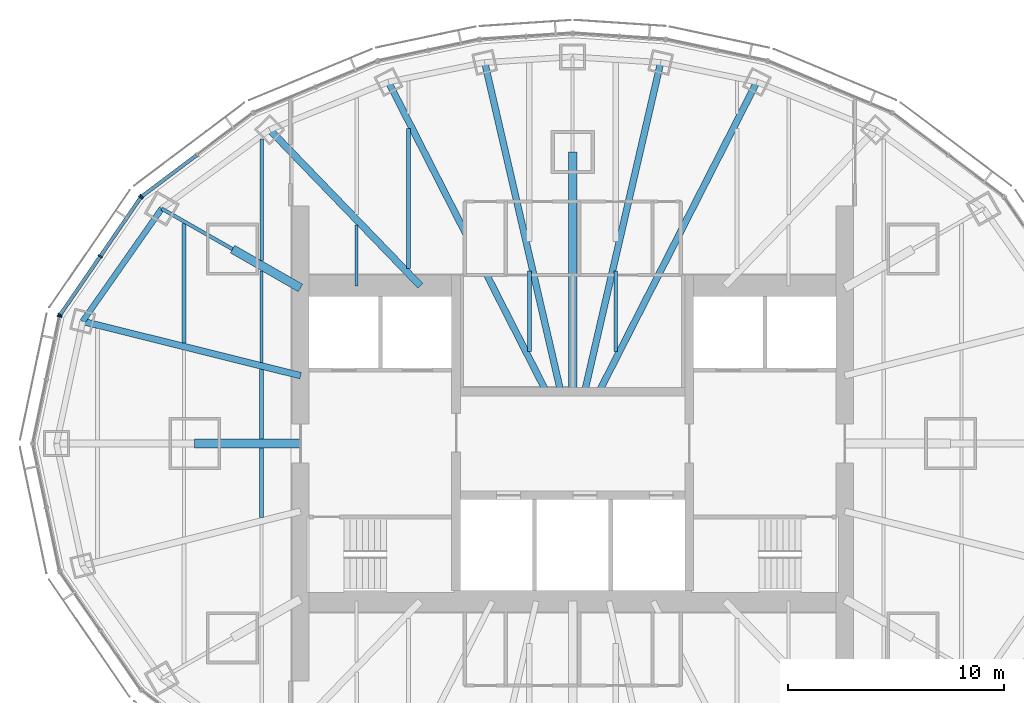
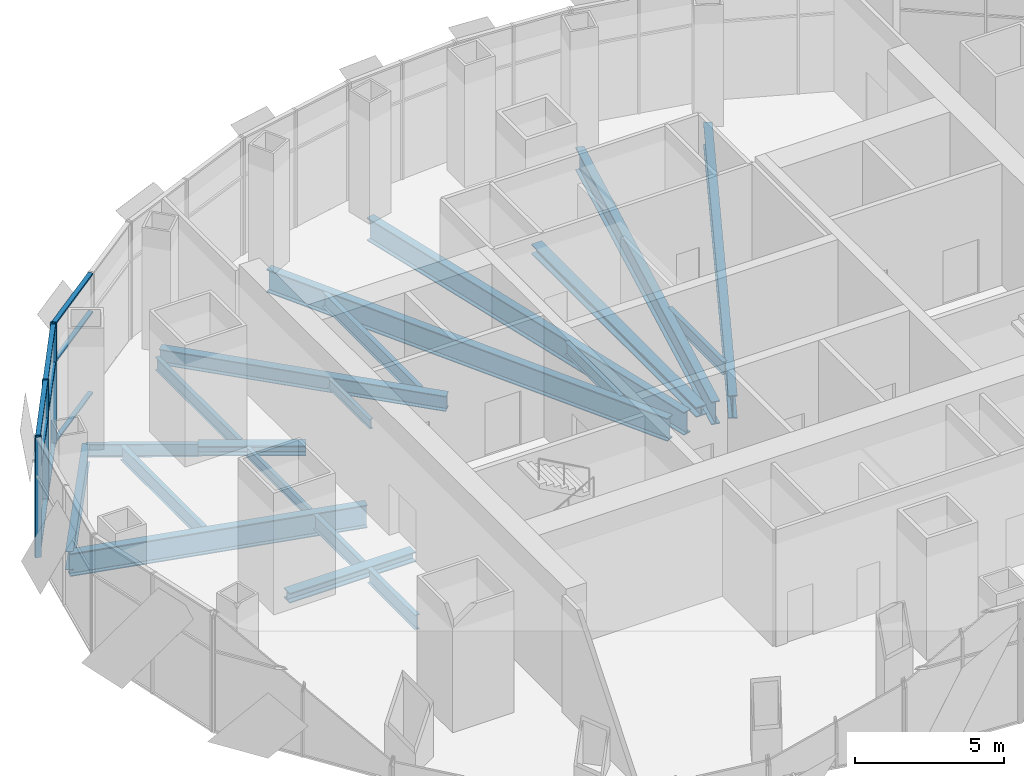
# One storey, part 4 of 17: 20 beams, 14 members, 3 elements without a shape of their own.
"""IFC4 building model written with IfcOpenShell, lengths in metres."""

from ifc_helpers import new_model, si_unit, direction, frame, origin, origin_2d, place, context, subcontext, project, spatial, rectangle, i_section, extrude, material, material_profile, profile_set, type_object, element, aggregate, save


model = new_model("IFC4")

# Units and contexts
model_context = context("Model", 3, precision=1e-05, world=origin(), true_north=direction((0.0, 1.0)))
body_context = subcontext(model_context, "Body", "Model", "MODEL_VIEW")
ifc_project = project(units=[si_unit("LENGTHUNIT", "METRE"), si_unit("AREAUNIT", "SQUARE_METRE"), si_unit("VOLUMEUNIT", "CUBIC_METRE"), si_unit("PLANEANGLEUNIT", "RADIAN"), si_unit("MASSUNIT", "GRAM", prefix="KILO")], contexts=[model_context])

# Site, building, storey
site_placement = place(None, origin())
site = spatial("IfcSite", under=ifc_project, at=site_placement, CompositionType="ELEMENT")
building_placement = place(site_placement, origin())
building = spatial("IfcBuilding", under=site, at=building_placement, Name="Lantaw Convention Tower", CompositionType="ELEMENT")
storey_placement = place(building_placement, frame((0.0, 0.0, 279.39990234375)))
storey = spatial("IfcBuildingStorey", under=building, at=storey_placement, Name="L65", CompositionType="ELEMENT", Elevation=279.39990234375)

# Beams
ifc_material_1 = material(Name="Steel ASTM A992", Category="steel")
ifc_material_profile_1 = material_profile(ifc_material_1, i_section(OverallWidth=0.2666015625, OverallDepth=0.76953125, WebThickness=0.015625, FlangeThickness=0.025390625, FilletRadius=0.0126953125, at=origin_2d()), Name="W30X132")
ifc_profile_set_1 = profile_set([ifc_material_profile_1], Name="Steel ASTM A992")
beam_type_1 = type_object("IfcBeamType", Name="Beam E W30X132", PredefinedType="SPANDREL", material=ifc_profile_set_1)
beam_1_placement = place(storey_placement, frame((-19.02685546875, 10.87255859375, -0.53466796875), z_axis=(-0.574400527612, -0.81857439117, 0.0), x_axis=(0.81857439117, -0.574400527612, 0.0)))
element("IfcBeam", 1, at=beam_1_placement, inside=storey, type_object=beam_type_1, Name="Edge beam 11", PredefinedType="SPANDREL", context=body_context, shape_type="SweptSolid", body=[
    extrude(i_section(OverallWidth=0.2666015625, OverallDepth=0.76953125, WebThickness=0.015625, FlangeThickness=0.025390625, FilletRadius=0.0126953125, at=origin_2d()), origin(), (0.0, 0.0, 1.0), 6.3720703125),
])
ifc_material_profile_2 = material_profile(ifc_material_1, i_section(OverallWidth=0.1650390625, OverallDepth=0.52587890625, WebThickness=0.0087890625, FlangeThickness=0.011474609375, FilletRadius=0.0126953125, at=origin_2d()), Name="W21X44")
ifc_profile_set_2 = profile_set([ifc_material_profile_2], Name="Steel ASTM A992")
beam_type_2 = type_object("IfcBeamType", Name="Beam G W21X44", PredefinedType="BEAM", material=ifc_profile_set_2)
beam_2_placement = place(storey_placement, frame((-15.75, 9.0, -0.412841796875), z_axis=(-0.868235180478, 0.496152870978, 0.0), x_axis=(-0.496152870978, -0.868235180478, 0.0)))
element("IfcBeam", 2, at=beam_2_placement, inside=storey, type_object=beam_type_2, Name="Floor girder on ray 11", PredefinedType="BEAM", context=body_context, shape_type="SweptSolid", body=[
    extrude(i_section(OverallWidth=0.1650390625, OverallDepth=0.52587890625, WebThickness=0.0087890625, FlangeThickness=0.011474609375, FilletRadius=0.0126953125, at=origin_2d()), origin(), (0.0, 0.0, 1.0), 3.774169921875),
])
ifc_material_profile_3 = material_profile(ifc_material_1, i_section(OverallWidth=0.32763671875, OverallDepth=0.62744140625, WebThickness=0.0166015625, FlangeThickness=0.027587890625, FilletRadius=0.0126953125, at=origin_2d()), Name="W24X146")
ifc_profile_set_3 = profile_set([ifc_material_profile_3], Name="Steel ASTM A992")
beam_type_3 = type_object("IfcBeamType", Name="Beam G W24X146", PredefinedType="BEAM", material=ifc_profile_set_3)
beam_3_placement = place(storey_placement, frame((-7.049560546875, 7.300048828125, -0.463623046875), z_axis=(-0.694652631285, 0.71934534255, 0.0), x_axis=(-0.71934534255, -0.694652631285, 0.0)))
element("IfcBeam", 3, at=beam_3_placement, inside=storey, type_object=beam_type_3, Name="Floor girder on ray 10", PredefinedType="BEAM", context=body_context, shape_type="SweptSolid", body=[
    extrude(i_section(OverallWidth=0.32763671875, OverallDepth=0.62744140625, WebThickness=0.0166015625, FlangeThickness=0.027587890625, FilletRadius=0.0126953125, at=origin_2d()), origin(), (0.0, 0.0, 1.0), 10.04541015625),
])
ifc_material_profile_4 = material_profile(ifc_material_1, i_section(OverallWidth=0.307373046875, OverallDepth=0.9423828125, WebThickness=0.022216796875, FlangeThickness=0.039794921875, FilletRadius=0.0126953125, at=origin_2d()), Name="W36X232")
ifc_profile_set_4 = profile_set([ifc_material_profile_4], Name="Steel ASTM A992")
beam_type_4 = type_object("IfcBeamType", Name="Beam G W36X232", PredefinedType="BEAM", material=ifc_profile_set_4)
beam_4_placement = place(storey_placement, frame((1.222900390625, 2.39990234375, -0.62109375), z_axis=(0.453985554173, 0.891009044063, 0.0), x_axis=(-0.891009044063, 0.453985554173, 0.0)))
element("IfcBeam", 4, at=beam_4_placement, inside=storey, type_object=beam_type_4, Name="Floor girder on ray 5", PredefinedType="BEAM", context=body_context, shape_type="SweptSolid", body=[
    extrude(i_section(OverallWidth=0.307373046875, OverallDepth=0.9423828125, WebThickness=0.022216796875, FlangeThickness=0.039794921875, FilletRadius=0.0126953125, at=origin_2d()), origin(), (0.0, 0.0, 1.0), 16.091796875),
])
for number, where, z_axis, x_axis, name in (
    (5, (0.55419921875, 2.39990234375, -0.62109375), (0.22493929298, 0.974372780035, 0.0), (-0.974372780035, 0.22493929298, 0.0), "Floor girder on ray 6"),
    (6, (-0.55419921875, 2.39990234375, -0.62109375), (-0.22493929298, 0.974372780035, 0.0), (-0.974372780035, -0.22493929298, 0.0), "Floor girder on ray 8"),
):
    element("IfcBeam", number, at=place(storey_placement, frame(where, z_axis=z_axis, x_axis=x_axis)), inside=storey, type_object=beam_type_4, Name=name, PredefinedType="BEAM", context=body_context, shape_type="SweptSolid", body=[
        extrude(i_section(OverallWidth=0.307373046875, OverallDepth=0.9423828125, WebThickness=0.022216796875, FlangeThickness=0.039794921875, FilletRadius=0.0126953125, at=origin_2d()), origin(), (0.0, 0.0, 1.0), 15.643310546875),
    ])
beam_5_placement = place(storey_placement, frame((-1.222900390625, 2.39990234375, -0.62109375), z_axis=(-0.453985554173, 0.891009044063, 0.0), x_axis=(-0.891009044063, -0.453985554173, 0.0)))
element("IfcBeam", 7, at=beam_5_placement, inside=storey, type_object=beam_type_4, Name="Floor girder on ray 9", PredefinedType="BEAM", context=body_context, shape_type="SweptSolid", body=[
    extrude(i_section(OverallWidth=0.307373046875, OverallDepth=0.9423828125, WebThickness=0.022216796875, FlangeThickness=0.039794921875, FilletRadius=0.0126953125, at=origin_2d()), origin(), (0.0, 0.0, 1.0), 16.091796875),
])
beam_6_placement = place(storey_placement, frame((-12.60009765625, 3.1416015625, -0.62109375), z_axis=(-0.97029702597, 0.241916682751, 0.0), x_axis=(-0.241916682751, -0.97029702597, 0.0)))
element("IfcBeam", 8, at=beam_6_placement, inside=storey, type_object=beam_type_4, Name="Floor girder on ray 12", PredefinedType="BEAM", context=body_context, shape_type="SweptSolid", body=[
    extrude(i_section(OverallWidth=0.307373046875, OverallDepth=0.9423828125, WebThickness=0.022216796875, FlangeThickness=0.039794921875, FilletRadius=0.0126953125, at=origin_2d()), origin(), (0.0, 0.0, 1.0), 10.395751953125),
])
ifc_material_profile_5 = material_profile(ifc_material_1, i_section(OverallWidth=0.40380859375, OverallDepth=0.406494140625, WebThickness=0.027099609375, FlangeThickness=0.043701171875, FilletRadius=0.01513671875, at=origin_2d()), Name="W14X233")
ifc_profile_set_5 = profile_set([ifc_material_profile_5], Name="Steel ASTM A992")
beam_type_5 = type_object("IfcBeamType", Name="Beam GM W14X233", PredefinedType="BEAM", material=ifc_profile_set_5)
beam_7_placement = place(storey_placement, frame((0.0, 2.39990234375, -0.35302734375), z_axis=(0.0, 1.0, 0.0), x_axis=(-1.0, 0.0, 0.0)))
element("IfcBeam", 9, at=beam_7_placement, inside=storey, type_object=beam_type_5, Name="Core link beam on ray 7", PredefinedType="BEAM", context=body_context, shape_type="SweptSolid", body=[
    extrude(i_section(OverallWidth=0.40380859375, OverallDepth=0.406494140625, WebThickness=0.027099609375, FlangeThickness=0.043701171875, FilletRadius=0.01513671875, at=origin_2d()), origin(), (0.0, 0.0, 1.0), 11.10009765625),
])
beam_8_placement = place(storey_placement, frame((-12.60009765625, 7.199951171875, -0.35302734375), z_axis=(-0.868230718294, 0.496160679428, 0.0), x_axis=(-0.496160679428, -0.868230718294, 0.0)))
element("IfcBeam", 10, at=beam_8_placement, inside=storey, type_object=beam_type_5, Name="Core link beam on ray 11", PredefinedType="BEAM", context=body_context, shape_type="SweptSolid", body=[
    extrude(i_section(OverallWidth=0.40380859375, OverallDepth=0.406494140625, WebThickness=0.027099609375, FlangeThickness=0.043701171875, FilletRadius=0.01513671875, at=origin_2d()), origin(), (0.0, 0.0, 1.0), 3.6279296875),
])
beam_9_placement = place(storey_placement, frame((-12.60009765625, 0.0, -0.35302734375), z_axis=(-1.0, 0.0, 0.0), x_axis=(0.0, -1.0, 0.0)))
element("IfcBeam", 11, at=beam_9_placement, inside=storey, type_object=beam_type_5, Name="Core link beam on ray 13", PredefinedType="BEAM", context=body_context, shape_type="SweptSolid", body=[
    extrude(i_section(OverallWidth=0.40380859375, OverallDepth=0.406494140625, WebThickness=0.027099609375, FlangeThickness=0.043701171875, FilletRadius=0.01513671875, at=origin_2d()), origin(), (0.0, 0.0, 1.0), 4.89990234375),
])
ifc_material_profile_6 = material_profile(ifc_material_1, i_section(OverallWidth=0.140380859375, OverallDepth=0.40380859375, WebThickness=0.007080078125, FlangeThickness=0.01123046875, FilletRadius=0.01025390625, at=origin_2d()), Name="W16X31")
ifc_profile_set_6 = profile_set([ifc_material_profile_6], Name="Steel ASTM A992")
beam_type_6 = type_object("IfcBeamType", Name="Beam J W16X31", PredefinedType="JOIST", material=ifc_profile_set_6)
beam_10_placement = place(storey_placement, frame((-14.39990234375, 3.748779296875, -0.351806640625), z_axis=(0.0, 1.0, 0.0), x_axis=(-1.0, 0.0, 0.0)))
element("IfcBeam", 12, at=beam_10_placement, inside=storey, type_object=beam_type_6, Name="Floor joist", PredefinedType="JOIST", context=body_context, shape_type="SweptSolid", body=[
    extrude(i_section(OverallWidth=0.140380859375, OverallDepth=0.40380859375, WebThickness=0.007080078125, FlangeThickness=0.01123046875, FilletRadius=0.01025390625, at=origin_2d()), origin(), (0.0, 0.0, 1.0), 4.247314453125),
])
beam_11_placement = place(storey_placement, frame((-10.0, 7.300048828125, -0.351806640625), z_axis=(0.0, 1.0, 0.0), x_axis=(-1.0, 0.0, 0.0)))
element("IfcBeam", 13, at=beam_11_placement, inside=storey, type_object=beam_type_6, Name="Floor joist", PredefinedType="JOIST", context=body_context, shape_type="SweptSolid", body=[
    extrude(i_section(OverallWidth=0.140380859375, OverallDepth=0.40380859375, WebThickness=0.007080078125, FlangeThickness=0.01123046875, FilletRadius=0.01025390625, at=origin_2d()), origin(), (0.0, 0.0, 1.0), 2.8193359375),
])
ifc_material_profile_7 = material_profile(ifc_material_1, i_section(OverallWidth=0.1650390625, OverallDepth=0.52587890625, WebThickness=0.0087890625, FlangeThickness=0.011474609375, FilletRadius=0.0126953125, at=origin_2d()), Name="W21X44")
ifc_profile_set_7 = profile_set([ifc_material_profile_7], Name="Steel ASTM A992")
beam_type_7 = type_object("IfcBeamType", Name="Beam J W21X44", PredefinedType="JOIST", material=ifc_profile_set_7)
beam_12_placement = place(storey_placement, frame((-14.39990234375, 8.461181640625, -0.412841796875), z_axis=(0.0, 1.0, 0.0), x_axis=(-1.0, 0.0, 0.0)))
element("IfcBeam", 14, at=beam_12_placement, inside=storey, type_object=beam_type_7, Name="Floor joist", PredefinedType="JOIST", context=body_context, shape_type="SweptSolid", body=[
    extrude(i_section(OverallWidth=0.1650390625, OverallDepth=0.52587890625, WebThickness=0.0087890625, FlangeThickness=0.011474609375, FilletRadius=0.0126953125, at=origin_2d()), origin(), (0.0, 0.0, 1.0), 5.627685546875),
])
for number, where, z_axis, x_axis, name in (
    (15, (-2.0, 4.263671875, -0.412841796875), (0.0, 1.0, 0.0), (-1.0, 0.0, 0.0), "Floor joist"),
    (16, (2.0, 4.263671875, -0.412841796875), (0.0, 1.0, 0.0), (-1.0, 0.0, 0.0), "Floor joist"),
):
    element("IfcBeam", number, at=place(storey_placement, frame(where, z_axis=z_axis, x_axis=x_axis)), inside=storey, type_object=beam_type_7, Name=name, PredefinedType="JOIST", context=body_context, shape_type="SweptSolid", body=[
        extrude(i_section(OverallWidth=0.1650390625, OverallDepth=0.52587890625, WebThickness=0.0087890625, FlangeThickness=0.011474609375, FilletRadius=0.0126953125, at=origin_2d()), origin(), (0.0, 0.0, 1.0), 3.716064453125),
    ])
ifc_material_profile_8 = material_profile(ifc_material_1, i_section(OverallWidth=0.177978515625, OverallDepth=0.599365234375, WebThickness=0.010009765625, FlangeThickness=0.012939453125, FilletRadius=0.012939453125, at=origin_2d()), Name="W24X55")
ifc_profile_set_8 = profile_set([ifc_material_profile_8], Name="Steel ASTM A992")
beam_type_8 = type_object("IfcBeamType", Name="Beam J W24X55", PredefinedType="JOIST", material=ifc_profile_set_8)
beam_13_placement = place(storey_placement, frame((-18.0, 4.646240234375, -0.44970703125), z_axis=(0.0, 1.0, 0.0), x_axis=(-1.0, 0.0, 0.0)))
element("IfcBeam", 17, at=beam_13_placement, inside=storey, type_object=beam_type_8, Name="Floor joist", PredefinedType="JOIST", context=body_context, shape_type="SweptSolid", body=[
    extrude(i_section(OverallWidth=0.177978515625, OverallDepth=0.599365234375, WebThickness=0.010009765625, FlangeThickness=0.012939453125, FilletRadius=0.012939453125, at=origin_2d()), origin(), (0.0, 0.0, 1.0), 5.54443359375),
])
for number, where, z_axis, x_axis, name in (
    (18, (-14.39990234375, -3.431884765625, -0.44970703125), (0.0, 1.0, 0.0), (-1.0, 0.0, 0.0), "Floor joist"),
    (19, (-14.39990234375, 0.201904296875, -0.44970703125), (0.0, 1.0, 0.0), (-1.0, 0.0, 0.0), "Floor joist"),
):
    element("IfcBeam", number, at=place(storey_placement, frame(where, z_axis=z_axis, x_axis=x_axis)), inside=storey, type_object=beam_type_8, Name=name, PredefinedType="JOIST", context=body_context, shape_type="SweptSolid", body=[
        extrude(i_section(OverallWidth=0.177978515625, OverallDepth=0.599365234375, WebThickness=0.010009765625, FlangeThickness=0.012939453125, FilletRadius=0.012939453125, at=origin_2d()), origin(), (0.0, 0.0, 1.0), 3.22998046875),
    ])
beam_14_placement = place(storey_placement, frame((-7.60009765625, 8.10595703125, -0.44970703125), z_axis=(0.0, 1.0, 0.0), x_axis=(-1.0, 0.0, 0.0)))
element("IfcBeam", 20, at=beam_14_placement, inside=storey, type_object=beam_type_8, Name="Floor joist", PredefinedType="JOIST", context=body_context, shape_type="SweptSolid", body=[
    extrude(i_section(OverallWidth=0.177978515625, OverallDepth=0.599365234375, WebThickness=0.010009765625, FlangeThickness=0.012939453125, FilletRadius=0.012939453125, at=origin_2d()), origin(), (0.0, 0.0, 1.0), 6.471435546875),
])

# Curtain wall, member
ifc_material_2 = material(Name="Aluminium framed curtain wall", Category="aluminium")
curtain_wall_type = type_object("IfcCurtainWallType", Name="Executive floors curtain wall, pale aluminium", PredefinedType="USERDEFINED", material=ifc_material_2)
curtain_wall_1_placement = place(storey_placement, origin())
curtain_wall_1 = element("IfcCurtainWall", 21, at=curtain_wall_1_placement, inside=storey, type_object=curtain_wall_type, Name="Executive floors curtain wall, pale aluminium L65", ObjectType="UNITISED CURTAIN WALL", PredefinedType="USERDEFINED")
ifc_material_3 = material(Name="Aluminium 6063-T6", Category="aluminium")
ifc_material_profile_9 = material_profile(ifc_material_3, rectangle(XDim=0.219970703125, YDim=0.070068359375, at=origin_2d()), Name="CW-T mullion 70x220")
ifc_profile_set_9 = profile_set([ifc_material_profile_9], Name="Aluminium 6063-T6")
member_type_1 = type_object("IfcMemberType", Name="CW-T mullion 70x220", PredefinedType="MULLION", material=ifc_profile_set_9)
member_1_placement = place(storey_placement, frame((-19.953857421875, 11.439208984375, -0.14990234375), z_axis=(0.0, 0.0, 1.0), x_axis=(0.600642756762, -0.799517528732, 0.0)))
member_1 = element("IfcMember", 22, at=member_1_placement, type_object=member_type_1, Name="CW-T mullion 3", PredefinedType="MULLION", context=body_context, shape_type="SweptSolid", body=[
    extrude(rectangle(XDim=0.219970703125, YDim=0.070068359375, at=origin_2d()), origin(), (0.0, 0.0, 1.0), 4.949951171875),
])

# Curtain wall, members
curtain_wall_2_placement = place(storey_placement, origin())
curtain_wall_2 = element("IfcCurtainWall", 23, at=curtain_wall_2_placement, inside=storey, type_object=curtain_wall_type, Name="Executive floors curtain wall, pale aluminium L65", ObjectType="UNITISED CURTAIN WALL", PredefinedType="USERDEFINED")
member_2_placement = place(storey_placement, frame((-20.001708984375, 11.389404296875, -0.14990234375), z_axis=(0.0, 0.0, 1.0), x_axis=(0.824449977189, -0.565934832921, 0.0)))
member_2 = element("IfcMember", 24, at=member_2_placement, type_object=member_type_1, Name="CW-T mullion 1", PredefinedType="MULLION", context=body_context, shape_type="SweptSolid", body=[
    extrude(rectangle(XDim=0.219970703125, YDim=0.070068359375, at=origin_2d()), origin(), (0.0, 0.0, 1.0), 4.949951171875),
])
member_3_placement = place(storey_placement, frame((-21.8681640625, 8.67041015625, -0.14990234375), z_axis=(0.0, 0.0, 1.0), x_axis=(0.824449977189, -0.565934832921, 0.0)))
member_3 = element("IfcMember", 25, at=member_3_placement, type_object=member_type_1, Name="CW-T mullion 2", PredefinedType="MULLION", context=body_context, shape_type="SweptSolid", body=[
    extrude(rectangle(XDim=0.219970703125, YDim=0.070068359375, at=origin_2d()), origin(), (0.0, 0.0, 1.0), 4.949951171875),
])
member_4_placement = place(storey_placement, frame((-23.734619140625, 5.951416015625, -0.14990234375), z_axis=(0.0, 0.0, 1.0), x_axis=(0.824449977189, -0.565934832921, 0.0)))
member_4 = element("IfcMember", 26, at=member_4_placement, type_object=member_type_1, Name="CW-T mullion 3", PredefinedType="MULLION", context=body_context, shape_type="SweptSolid", body=[
    extrude(rectangle(XDim=0.219970703125, YDim=0.070068359375, at=origin_2d()), origin(), (0.0, 0.0, 1.0), 4.949951171875),
])

# Curtain wall, member
curtain_wall_3_placement = place(storey_placement, origin())
curtain_wall_3 = element("IfcCurtainWall", 27, at=curtain_wall_3_placement, inside=storey, type_object=curtain_wall_type, Name="Executive floors curtain wall, pale aluminium L65", ObjectType="UNITISED CURTAIN WALL", PredefinedType="USERDEFINED")
member_5_placement = place(storey_placement, frame((-23.761474609375, 5.888427734375, -0.14990234375), z_axis=(0.0, 0.0, 1.0), x_axis=(0.978591117263, -0.205814054946, 0.0)))
member_5 = element("IfcMember", 28, at=member_5_placement, type_object=member_type_1, Name="CW-T mullion 1", PredefinedType="MULLION", context=body_context, shape_type="SweptSolid", body=[
    extrude(rectangle(XDim=0.219970703125, YDim=0.070068359375, at=origin_2d()), origin(), (0.0, 0.0, 1.0), 4.949951171875),
])
aggregate(curtain_wall_3, [member_5])

# Member
ifc_material_profile_10 = material_profile(ifc_material_3, rectangle(XDim=0.169921875, YDim=0.070068359375, at=origin_2d()), Name="CW-T transom 70x170")
ifc_profile_set_10 = profile_set([ifc_material_profile_10], Name="Aluminium 6063-T6")
member_type_2 = type_object("IfcMemberType", Name="CW-T transom 70x170", PredefinedType="USERDEFINED", material=ifc_profile_set_10)
member_6_placement = place(storey_placement, frame((-17.414794921875, 13.346923828125, -0.114990234375), z_axis=(-0.799496049611, -0.600671346626, 0.0), x_axis=(0.600671346626, -0.799496049611, 0.0)))
member_6 = element("IfcMember", 29, at=member_6_placement, type_object=member_type_2, Name="CW-T transom 2.1", ObjectType="TRANSOM", PredefinedType="USERDEFINED", context=body_context, shape_type="SweptSolid", body=[
    extrude(rectangle(XDim=0.169921875, YDim=0.070068359375, at=origin_2d()), origin(), (0.0, 0.0, 1.0), 3.14111328125),
])

member_7_placement = place(storey_placement, frame((-17.414794921875, 13.346923828125, 3.2001953125), z_axis=(-0.799496049611, -0.600671346626, 0.0), x_axis=(0.600671346626, -0.799496049611, 0.0)))
member_7 = element("IfcMember", 30, at=member_7_placement, type_object=member_type_2, Name="CW-T transom 2.2", ObjectType="TRANSOM", PredefinedType="USERDEFINED", context=body_context, shape_type="SweptSolid", body=[
    extrude(rectangle(XDim=0.169921875, YDim=0.070068359375, at=origin_2d()), origin(), (0.0, 0.0, 1.0), 3.14111328125),
])

member_8_placement = place(storey_placement, frame((-17.414794921875, 13.346923828125, 4.76513671875), z_axis=(-0.799496049611, -0.600671346626, 0.0), x_axis=(0.600671346626, -0.799496049611, 0.0)))
member_8 = element("IfcMember", 31, at=member_8_placement, type_object=member_type_2, Name="CW-T transom 2.3", ObjectType="TRANSOM", PredefinedType="USERDEFINED", context=body_context, shape_type="SweptSolid", body=[
    extrude(rectangle(XDim=0.169921875, YDim=0.070068359375, at=origin_2d()), origin(), (0.0, 0.0, 1.0), 3.14111328125),
])

aggregate(curtain_wall_1, [member_1, member_6, member_7, member_8])

member_9_placement = place(storey_placement, frame((-20.021484375, 11.360595703125, -0.114990234375), z_axis=(-0.56594129057, -0.824445544368, 0.0), x_axis=(0.824445544368, -0.56594129057, 0.0)))
member_9 = element("IfcMember", 32, at=member_9_placement, type_object=member_type_2, Name="CW-T transom 1.1", ObjectType="TRANSOM", PredefinedType="USERDEFINED", context=body_context, shape_type="SweptSolid", body=[
    extrude(rectangle(XDim=0.169921875, YDim=0.070068359375, at=origin_2d()), origin(), (0.0, 0.0, 1.0), 3.22802734375),
])

member_10_placement = place(storey_placement, frame((-20.021484375, 11.360595703125, 3.2001953125), z_axis=(-0.56594129057, -0.824445544368, 0.0), x_axis=(0.824445544368, -0.56594129057, 0.0)))
member_10 = element("IfcMember", 33, at=member_10_placement, type_object=member_type_2, Name="CW-T transom 1.2", ObjectType="TRANSOM", PredefinedType="USERDEFINED", context=body_context, shape_type="SweptSolid", body=[
    extrude(rectangle(XDim=0.169921875, YDim=0.070068359375, at=origin_2d()), origin(), (0.0, 0.0, 1.0), 3.22802734375),
])

member_11_placement = place(storey_placement, frame((-20.021484375, 11.360595703125, 4.76513671875), z_axis=(-0.56594129057, -0.824445544368, 0.0), x_axis=(0.824445544368, -0.56594129057, 0.0)))
member_11 = element("IfcMember", 34, at=member_11_placement, type_object=member_type_2, Name="CW-T transom 1.3", ObjectType="TRANSOM", PredefinedType="USERDEFINED", context=body_context, shape_type="SweptSolid", body=[
    extrude(rectangle(XDim=0.169921875, YDim=0.070068359375, at=origin_2d()), origin(), (0.0, 0.0, 1.0), 3.22802734375),
])

member_12_placement = place(storey_placement, frame((-21.887939453125, 8.6416015625, -0.114990234375), z_axis=(-0.56594129057, -0.824445544368, 0.0), x_axis=(0.824445544368, -0.56594129057, 0.0)))
member_12 = element("IfcMember", 35, at=member_12_placement, type_object=member_type_2, Name="CW-T transom 2.1", ObjectType="TRANSOM", PredefinedType="USERDEFINED", context=body_context, shape_type="SweptSolid", body=[
    extrude(rectangle(XDim=0.169921875, YDim=0.070068359375, at=origin_2d()), origin(), (0.0, 0.0, 1.0), 3.22802734375),
])

member_13_placement = place(storey_placement, frame((-21.887939453125, 8.6416015625, 3.2001953125), z_axis=(-0.56594129057, -0.824445544368, 0.0), x_axis=(0.824445544368, -0.56594129057, 0.0)))
member_13 = element("IfcMember", 36, at=member_13_placement, type_object=member_type_2, Name="CW-T transom 2.2", ObjectType="TRANSOM", PredefinedType="USERDEFINED", context=body_context, shape_type="SweptSolid", body=[
    extrude(rectangle(XDim=0.169921875, YDim=0.070068359375, at=origin_2d()), origin(), (0.0, 0.0, 1.0), 3.22802734375),
])

member_14_placement = place(storey_placement, frame((-21.887939453125, 8.6416015625, 4.76513671875), z_axis=(-0.56594129057, -0.824445544368, 0.0), x_axis=(0.824445544368, -0.56594129057, 0.0)))
member_14 = element("IfcMember", 37, at=member_14_placement, type_object=member_type_2, Name="CW-T transom 2.3", ObjectType="TRANSOM", PredefinedType="USERDEFINED", context=body_context, shape_type="SweptSolid", body=[
    extrude(rectangle(XDim=0.169921875, YDim=0.070068359375, at=origin_2d()), origin(), (0.0, 0.0, 1.0), 3.22802734375),
])

aggregate(curtain_wall_2, [member_2, member_3, member_4, member_9, member_10, member_11, member_12, member_13, member_14])

save(model, "model.ifc")
